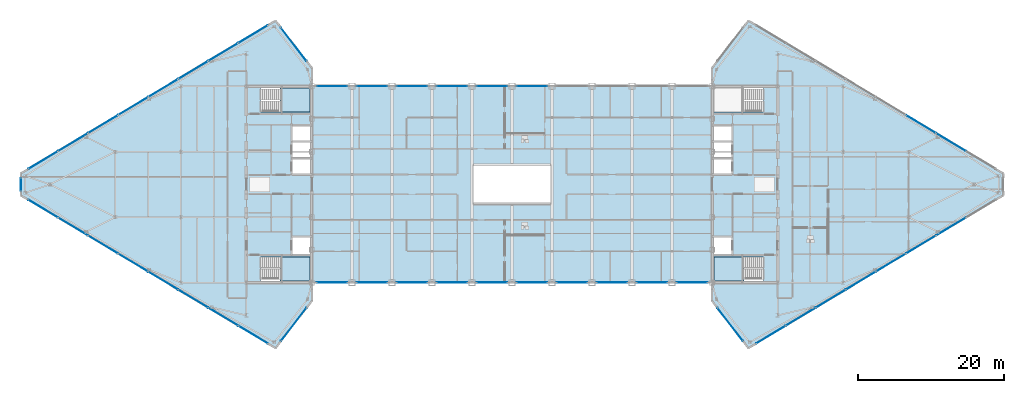
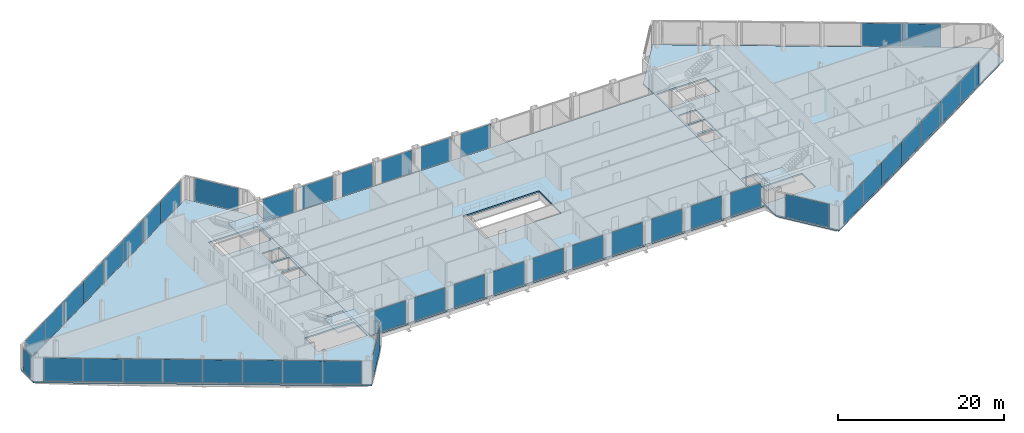
# One storey, part 19 of 29: 45 plates, 6 slabs, 27 elements without a shape of their own.
"""IFC4 building model written with IfcOpenShell, lengths in metres."""

from ifc_helpers import new_model, si_unit, direction, frame, origin, origin_2d, place, context, subcontext, project, spatial, polyline, rectangle, outline, extrude, source, transform, mapped, material, layer, layer_set, type_object, type_shapes, element, aggregate, save


model = new_model("IFC4")

# Units and contexts
model_context = context("Model", 3, precision=1e-05, world=origin(), true_north=direction((0.0, 1.0)))
body_context = subcontext(model_context, "Body", "Model", "MODEL_VIEW")
ifc_project = project(units=[si_unit("LENGTHUNIT", "METRE"), si_unit("AREAUNIT", "SQUARE_METRE"), si_unit("VOLUMEUNIT", "CUBIC_METRE"), si_unit("PLANEANGLEUNIT", "RADIAN"), si_unit("MASSUNIT", "GRAM", prefix="KILO")], contexts=[model_context])

# Site, building, storey
site_placement = place(None, origin())
site = spatial("IfcSite", under=ifc_project, at=site_placement, CompositionType="ELEMENT")
building_placement = place(site_placement, origin())
building = spatial("IfcBuilding", under=site, at=building_placement, Name="Seokmaru Belvedere", CompositionType="ELEMENT")
storey_placement = place(building_placement, frame((0.0, 0.0, 258.14990234375)))
storey = spatial("IfcBuildingStorey", under=building, at=storey_placement, Name="L68", CompositionType="ELEMENT", Elevation=258.14990234375)

# Stair, slab
ifc_material_1 = material(Name="Concrete C40 (40 MPa)", Category="concrete")
stair_type = type_object("IfcStairType", Name="Sky-Gate Residential Core Dog-Leg Stair 3750", PredefinedType="TWO_STRAIGHT_RUN_STAIR", material=ifc_material_1)
stair_1_placement = place(storey_placement, origin())
stair_1 = element("IfcStair", 1, at=stair_1_placement, inside=storey, type_object=stair_type, Name="L68 Special Escape Stair ST-W1", PredefinedType="TWO_STRAIGHT_RUN_STAIR")
ifc_layer_1 = layer(ifc_material_1, 0.199951171875)
ifc_layer_set_1 = layer_set([ifc_layer_1], Name="Concrete C40 (40 MPa)")
slab_type_1 = type_object("IfcSlabType", Name="Reinforced Concrete Stair Landing Slab 200", PredefinedType="LANDING", material=ifc_layer_set_1)
slab_1_placement = place(storey_placement, frame((0.0, 0.0, 1.675048828125)))
slab_1 = element("IfcSlab", 2, at=slab_1_placement, type_object=slab_type_1, Name="ST-W1 landing 1", PredefinedType="LANDING", context=body_context, shape_type="SweptSolid", body=[
    extrude(outline(polyline([(-31.8798828125, -13.239990234375), (-27.760009765625, -13.239990234375), (-27.760009765625, -9.949951171875), (-31.8798828125, -9.949951171875), (-31.8798828125, -13.239990234375)])), origin(), (0.0, 0.0, 1.0), 0.199951171875),
])
aggregate(stair_1, [slab_1])

stair_2_placement = place(storey_placement, origin())
stair_2 = element("IfcStair", 3, at=stair_2_placement, inside=storey, type_object=stair_type, Name="L68 Special Escape Stair ST-W2", PredefinedType="TWO_STRAIGHT_RUN_STAIR")
slab_2_placement = place(storey_placement, frame((0.0, 0.0, 1.675048828125)))
slab_2 = element("IfcSlab", 4, at=slab_2_placement, type_object=slab_type_1, Name="ST-W2 landing 1", PredefinedType="LANDING", context=body_context, shape_type="SweptSolid", body=[
    extrude(outline(polyline([(-31.8798828125, 9.949951171875), (-27.760009765625, 9.949951171875), (-27.760009765625, 13.239990234375), (-31.8798828125, 13.239990234375), (-31.8798828125, 9.949951171875)])), origin(), (0.0, 0.0, 1.0), 0.199951171875),
])
aggregate(stair_2, [slab_2])

stair_3_placement = place(storey_placement, origin())
stair_3 = element("IfcStair", 5, at=stair_3_placement, inside=storey, type_object=stair_type, Name="L68 Special Escape Stair ST-E1", PredefinedType="TWO_STRAIGHT_RUN_STAIR")
slab_3_placement = place(storey_placement, frame((0.0, 0.0, 1.675048828125)))
slab_3 = element("IfcSlab", 6, at=slab_3_placement, type_object=slab_type_1, Name="ST-E1 landing 1", PredefinedType="LANDING", context=body_context, shape_type="SweptSolid", body=[
    extrude(outline(polyline([(27.760009765625, -13.239990234375), (31.8798828125, -13.239990234375), (31.8798828125, -9.949951171875), (27.760009765625, -9.949951171875), (27.760009765625, -13.239990234375)])), origin(), (0.0, 0.0, 1.0), 0.199951171875),
])
aggregate(stair_3, [slab_3])

# Slabs
ifc_layer_2 = layer(ifc_material_1, 0.219970703125)
ifc_layer_set_2 = layer_set([ifc_layer_2], Name="Concrete C40 (40 MPa)")
slab_type_2 = type_object("IfcSlabType", Name="Typical Tower Composite Floor Slab 220", PredefinedType="FLOOR", material=ifc_layer_set_2)
slab_4_placement = place(storey_placement, frame((0.0, 0.0, -0.219970703125)))
element("IfcSlab", 7, at=slab_4_placement, inside=storey, type_object=slab_type_2, Name="L68 West Leg Floor Slab", PredefinedType="FLOOR", context=body_context, shape_type="SweptSolid", body=[
    extrude(outline(polyline([(-27.5, -16.0), (-27.5, 16.0), (-32.5, 22.5), (-67.5, 1.5), (-67.5, -1.5), (-32.5, -22.5), (-27.5, -16.0)]), holes=[polyline([(-34.60009765625, -13.25), (-27.75, -13.25), (-27.75, -9.949951171875), (-34.60009765625, -9.949951171875), (-34.60009765625, -13.25)]), polyline([(-34.60009765625, 9.949951171875), (-27.75, 9.949951171875), (-27.75, 13.25), (-34.60009765625, 13.25), (-34.60009765625, 9.949951171875)]), polyline([(-30.14990234375, -9.550048828125), (-27.75, -9.550048828125), (-27.75, -7.25), (-30.14990234375, -7.25), (-30.14990234375, -9.550048828125)]), polyline([(-30.14990234375, 1.449951171875), (-27.75, 1.449951171875), (-27.75, 3.449951171875), (-30.14990234375, 3.449951171875), (-30.14990234375, 1.449951171875)]), polyline([(-30.14990234375, 3.75), (-27.75, 3.75), (-27.75, 5.75), (-30.14990234375, 5.75), (-30.14990234375, 3.75)]), polyline([(-30.14990234375, 6.050048828125), (-27.75, 6.050048828125), (-27.75, 8.050048828125), (-30.14990234375, 8.050048828125), (-30.14990234375, 6.050048828125)])]), origin(), (0.0, 0.0, 1.0), 0.219970703125),
])
slab_5_placement = place(storey_placement, frame((0.0, 0.0, -0.219970703125)))
element("IfcSlab", 8, at=slab_5_placement, inside=storey, type_object=slab_type_2, Name="L68 East Leg Floor Slab", PredefinedType="FLOOR", context=body_context, shape_type="SweptSolid", body=[
    extrude(outline(polyline([(32.5, -22.5), (67.5, -1.5), (67.5, 1.5), (32.5, 22.5), (27.5, 16.0), (27.5, -16.0), (32.5, -22.5)]), holes=[polyline([(27.75, -13.25), (34.60009765625, -13.25), (34.60009765625, -9.949951171875), (27.75, -9.949951171875), (27.75, -13.25)]), polyline([(27.75, 9.949951171875), (34.60009765625, 9.949951171875), (34.60009765625, 13.25), (27.75, 13.25), (27.75, 9.949951171875)]), polyline([(27.75, -9.550048828125), (30.14990234375, -9.550048828125), (30.14990234375, -7.25), (27.75, -7.25), (27.75, -9.550048828125)]), polyline([(27.75, 1.449951171875), (30.14990234375, 1.449951171875), (30.14990234375, 3.449951171875), (27.75, 3.449951171875), (27.75, 1.449951171875)]), polyline([(27.75, 3.75), (30.14990234375, 3.75), (30.14990234375, 5.75), (27.75, 5.75), (27.75, 3.75)]), polyline([(27.75, 6.050048828125), (30.14990234375, 6.050048828125), (30.14990234375, 8.050048828125), (27.75, 8.050048828125), (27.75, 6.050048828125)])]), origin(), (0.0, 0.0, 1.0), 0.219970703125),
])
slab_6_placement = place(storey_placement, frame((0.0, 0.0, -0.219970703125)))
element("IfcSlab", 9, at=slab_6_placement, inside=storey, type_object=slab_type_2, Name="L68 Sky-Gate Bridge Floor Slab", PredefinedType="FLOOR", context=body_context, shape_type="SweptSolid", body=[
    extrude(outline(polyline([(-27.5, -13.5), (27.5, -13.5), (27.5, 13.5), (-27.5, 13.5), (-27.5, -13.5)]), holes=[polyline([(-5.300048828125, -2.699951171875), (5.300048828125, -2.699951171875), (5.300048828125, 2.699951171875), (-5.300048828125, 2.699951171875), (-5.300048828125, -2.699951171875)])]), origin(), (0.0, 0.0, 1.0), 0.219970703125),
])

# Curtain wall, plate
ifc_material_2 = material(Name="Bronze Triple Insulating Glass", Category="glass")
ifc_layer_3 = layer(ifc_material_2, 0.219970703125)
ifc_layer_set_3 = layer_set([ifc_layer_3], Name="Bronze Triple Insulating Glass")
curtain_wall_type = type_object("IfcCurtainWallType", Name="Sky-Gate Bridge Panorama Curtain Wall System CW-6", PredefinedType="NOTDEFINED", material=ifc_layer_set_3)
curtain_wall_1_placement = place(storey_placement, origin())
curtain_wall_1 = element("IfcCurtainWall", 10, at=curtain_wall_1_placement, inside=storey, type_object=curtain_wall_type, Name="L68 Curtain Wall WF2", PredefinedType="NOTDEFINED")
ifc_layer_4 = layer(ifc_material_2, 0.0419921875)
ifc_layer_set_4 = layer_set([ifc_layer_4], Name="Bronze Triple Insulating Glass")
plate_type = type_object("IfcPlateType", Name="Acoustic Laminated Panorama Glazing Panel 42", PredefinedType="CURTAIN_PANEL", material=ifc_layer_set_4)
shared_shape_1 = source(origin(), body_context, "Body", "SweptSolid", [
    extrude(rectangle(XDim=5.740478515625, YDim=0.0419921875, at=origin_2d()), origin(), (0.0, 0.0, 1.0), 3.3798828125),
])
plate_1_placement = place(storey_placement, frame((-30.0, 19.25, 0.0751953125), z_axis=(0.0, 0.0, 1.0), x_axis=(-0.609701187349, 0.792631353244, 0.0)))
plate_1 = element("IfcPlate", 11, at=plate_1_placement, type_object=plate_type, Name="CW:L68:WF2 Glazing Panel 1-1", PredefinedType="CURTAIN_PANEL", context=body_context, shape_type="MappedRepresentation", body=[
    mapped(shared_shape_1, transform((0.0, 0.0, 0.0), scale=1.0)),
])
aggregate(curtain_wall_1, [plate_1])

curtain_wall_2_placement = place(storey_placement, origin())
curtain_wall_2 = element("IfcCurtainWall", 12, at=curtain_wall_2_placement, inside=storey, type_object=curtain_wall_type, Name="L68 Curtain Wall WF6", PredefinedType="NOTDEFINED")
plate_2_placement = place(storey_placement, frame((-30.0, -19.25, 0.0751953125), z_axis=(0.0, 0.0, 1.0), x_axis=(0.609701187349, 0.792631353244, 0.0)))
plate_2 = element("IfcPlate", 13, at=plate_2_placement, type_object=plate_type, Name="CW:L68:WF6 Glazing Panel 1-1", PredefinedType="CURTAIN_PANEL", context=body_context, shape_type="MappedRepresentation", body=[
    mapped(shared_shape_1, transform((0.0, 0.0, 0.0), scale=1.0)),
])
aggregate(curtain_wall_2, [plate_2])

curtain_wall_3_placement = place(storey_placement, origin())
curtain_wall_3 = element("IfcCurtainWall", 14, at=curtain_wall_3_placement, inside=storey, type_object=curtain_wall_type, Name="L68 Curtain Wall EF6", PredefinedType="NOTDEFINED")
plate_3_placement = place(storey_placement, frame((30.0, -19.25, 0.0751953125), z_axis=(0.0, 0.0, 1.0), x_axis=(0.609701187349, -0.792631353244, 0.0)))
plate_3 = element("IfcPlate", 15, at=plate_3_placement, type_object=plate_type, Name="CW:L68:EF6 Glazing Panel 1-1", PredefinedType="CURTAIN_PANEL", context=body_context, shape_type="MappedRepresentation", body=[
    mapped(shared_shape_1, transform((0.0, 0.0, 0.0), scale=1.0)),
])
aggregate(curtain_wall_3, [plate_3])

# Curtain wall, plates
curtain_wall_4_placement = place(storey_placement, origin())
curtain_wall_4 = element("IfcCurtainWall", 16, at=curtain_wall_4_placement, inside=storey, type_object=curtain_wall_type, Name="L68 Curtain Wall WF3", PredefinedType="NOTDEFINED")
shared_shape_2 = source(origin(), body_context, "Body", "SweptSolid", [
    extrude(rectangle(XDim=4.694580078125, YDim=0.0419921875, at=origin_2d()), origin(), (0.0, 0.0, 1.0), 3.3798828125),
])
plate_4_placement = place(storey_placement, frame((-35.5673828125, 20.659423828125, 0.0751953125), z_axis=(0.0, 0.0, 1.0), x_axis=(-0.85749343335, -0.514494909364, 0.0)))
plate_4 = element("IfcPlate", 17, at=plate_4_placement, type_object=plate_type, Name="CW:L68:WF3 Glazing Panel 1-1", PredefinedType="CURTAIN_PANEL", context=body_context, shape_type="MappedRepresentation", body=[
    mapped(shared_shape_2, transform((0.0, 0.0, 0.0), scale=1.0)),
])
plate_5_placement = place(storey_placement, frame((-64.4326171875, 3.340576171875, 0.0751953125), z_axis=(0.0, 0.0, 1.0), x_axis=(-0.85749343335, -0.514494909364, 0.0)))
plate_5 = element("IfcPlate", 18, at=plate_5_placement, type_object=plate_type, Name="CW:L68:WF3 Glazing Panel 8-1", PredefinedType="CURTAIN_PANEL", context=body_context, shape_type="MappedRepresentation", body=[
    mapped(shared_shape_2, transform((0.0, 0.0, 0.0), scale=1.0)),
])

curtain_wall_5_placement = place(storey_placement, origin())
curtain_wall_5 = element("IfcCurtainWall", 19, at=curtain_wall_5_placement, inside=storey, type_object=curtain_wall_type, Name="L68 Curtain Wall WF5", PredefinedType="NOTDEFINED")
plate_6_placement = place(storey_placement, frame((-64.4326171875, -3.340576171875, 0.0751953125), z_axis=(0.0, 0.0, 1.0), x_axis=(0.85749343335, -0.514494909364, 0.0)))
plate_6 = element("IfcPlate", 20, at=plate_6_placement, type_object=plate_type, Name="CW:L68:WF5 Glazing Panel 1-1", PredefinedType="CURTAIN_PANEL", context=body_context, shape_type="MappedRepresentation", body=[
    mapped(shared_shape_2, transform((0.0, 0.0, 0.0), scale=1.0)),
])
plate_7_placement = place(storey_placement, frame((-35.5673828125, -20.659423828125, 0.0751953125), z_axis=(0.0, 0.0, 1.0), x_axis=(0.85749343335, -0.514494909364, 0.0)))
plate_7 = element("IfcPlate", 21, at=plate_7_placement, type_object=plate_type, Name="CW:L68:WF5 Glazing Panel 8-1", PredefinedType="CURTAIN_PANEL", context=body_context, shape_type="MappedRepresentation", body=[
    mapped(shared_shape_2, transform((0.0, 0.0, 0.0), scale=1.0)),
])

# Curtain wall, plate
curtain_wall_6_placement = place(storey_placement, origin())
curtain_wall_6 = element("IfcCurtainWall", 22, at=curtain_wall_6_placement, inside=storey, type_object=curtain_wall_type, Name="L68 Curtain Wall EF1", PredefinedType="NOTDEFINED")
plate_8_placement = place(storey_placement, frame((35.5673828125, -20.659423828125, 0.0751953125), z_axis=(0.0, 0.0, 1.0), x_axis=(0.85749343335, 0.514494909364, 0.0)))
plate_8 = element("IfcPlate", 23, at=plate_8_placement, type_object=plate_type, Name="CW:L68:EF1 Glazing Panel 1-1", PredefinedType="CURTAIN_PANEL", context=body_context, shape_type="MappedRepresentation", body=[
    mapped(shared_shape_2, transform((0.0, 0.0, 0.0), scale=1.0)),
])

# Plate
shared_shape_3 = source(origin(), body_context, "Body", "SweptSolid", [
    extrude(rectangle(XDim=4.734619140625, YDim=0.0419921875, at=origin_2d()), origin(), (0.0, 0.0, 1.0), 3.3798828125),
])
plate_9_placement = place(storey_placement, frame((-39.6787109375, 18.192626953125, 0.0751953125), z_axis=(0.0, 0.0, 1.0), x_axis=(-0.85749343335, -0.514494909364, 0.0)))
plate_9 = element("IfcPlate", 24, at=plate_9_placement, type_object=plate_type, Name="CW:L68:WF3 Glazing Panel 2-1", PredefinedType="CURTAIN_PANEL", context=body_context, shape_type="MappedRepresentation", body=[
    mapped(shared_shape_3, transform((0.0, 0.0, 0.0), scale=1.0)),
])

plate_10_placement = place(storey_placement, frame((-43.807373046875, 15.715576171875, 0.0751953125), z_axis=(0.0, 0.0, 1.0), x_axis=(-0.85749343335, -0.514494909364, 0.0)))
plate_10 = element("IfcPlate", 25, at=plate_10_placement, type_object=plate_type, Name="CW:L68:WF3 Glazing Panel 3-1", PredefinedType="CURTAIN_PANEL", context=body_context, shape_type="MappedRepresentation", body=[
    mapped(shared_shape_3, transform((0.0, 0.0, 0.0), scale=1.0)),
])

plate_11_placement = place(storey_placement, frame((-47.935791015625, 13.238525390625, 0.0751953125), z_axis=(0.0, 0.0, 1.0), x_axis=(-0.85749343335, -0.514494909364, 0.0)))
plate_11 = element("IfcPlate", 26, at=plate_11_placement, type_object=plate_type, Name="CW:L68:WF3 Glazing Panel 4-1", PredefinedType="CURTAIN_PANEL", context=body_context, shape_type="MappedRepresentation", body=[
    mapped(shared_shape_3, transform((0.0, 0.0, 0.0), scale=1.0)),
])

plate_12_placement = place(storey_placement, frame((-52.064208984375, 10.761474609375, 0.0751953125), z_axis=(0.0, 0.0, 1.0), x_axis=(-0.85749343335, -0.514494909364, 0.0)))
plate_12 = element("IfcPlate", 27, at=plate_12_placement, type_object=plate_type, Name="CW:L68:WF3 Glazing Panel 5-1", PredefinedType="CURTAIN_PANEL", context=body_context, shape_type="MappedRepresentation", body=[
    mapped(shared_shape_3, transform((0.0, 0.0, 0.0), scale=1.0)),
])

plate_13_placement = place(storey_placement, frame((-56.192626953125, 8.284423828125, 0.0751953125), z_axis=(0.0, 0.0, 1.0), x_axis=(-0.85749343335, -0.514494909364, 0.0)))
plate_13 = element("IfcPlate", 28, at=plate_13_placement, type_object=plate_type, Name="CW:L68:WF3 Glazing Panel 6-1", PredefinedType="CURTAIN_PANEL", context=body_context, shape_type="MappedRepresentation", body=[
    mapped(shared_shape_3, transform((0.0, 0.0, 0.0), scale=1.0)),
])

plate_14_placement = place(storey_placement, frame((-60.3212890625, 5.807373046875, 0.0751953125), z_axis=(0.0, 0.0, 1.0), x_axis=(-0.85749343335, -0.514494909364, 0.0)))
plate_14 = element("IfcPlate", 29, at=plate_14_placement, type_object=plate_type, Name="CW:L68:WF3 Glazing Panel 7-1", PredefinedType="CURTAIN_PANEL", context=body_context, shape_type="MappedRepresentation", body=[
    mapped(shared_shape_3, transform((0.0, 0.0, 0.0), scale=1.0)),
])

aggregate(curtain_wall_4, [plate_4, plate_9, plate_10, plate_11, plate_12, plate_13, plate_14, plate_5])

plate_15_placement = place(storey_placement, frame((-60.3212890625, -5.807373046875, 0.0751953125), z_axis=(0.0, 0.0, 1.0), x_axis=(0.85749343335, -0.514494909364, 0.0)))
plate_15 = element("IfcPlate", 30, at=plate_15_placement, type_object=plate_type, Name="CW:L68:WF5 Glazing Panel 2-1", PredefinedType="CURTAIN_PANEL", context=body_context, shape_type="MappedRepresentation", body=[
    mapped(shared_shape_3, transform((0.0, 0.0, 0.0), scale=1.0)),
])

plate_16_placement = place(storey_placement, frame((-56.192626953125, -8.284423828125, 0.0751953125), z_axis=(0.0, 0.0, 1.0), x_axis=(0.85749343335, -0.514494909364, 0.0)))
plate_16 = element("IfcPlate", 31, at=plate_16_placement, type_object=plate_type, Name="CW:L68:WF5 Glazing Panel 3-1", PredefinedType="CURTAIN_PANEL", context=body_context, shape_type="MappedRepresentation", body=[
    mapped(shared_shape_3, transform((0.0, 0.0, 0.0), scale=1.0)),
])

plate_17_placement = place(storey_placement, frame((-52.064208984375, -10.761474609375, 0.0751953125), z_axis=(0.0, 0.0, 1.0), x_axis=(0.85749343335, -0.514494909364, 0.0)))
plate_17 = element("IfcPlate", 32, at=plate_17_placement, type_object=plate_type, Name="CW:L68:WF5 Glazing Panel 4-1", PredefinedType="CURTAIN_PANEL", context=body_context, shape_type="MappedRepresentation", body=[
    mapped(shared_shape_3, transform((0.0, 0.0, 0.0), scale=1.0)),
])

plate_18_placement = place(storey_placement, frame((-47.935791015625, -13.238525390625, 0.0751953125), z_axis=(0.0, 0.0, 1.0), x_axis=(0.85749343335, -0.514494909364, 0.0)))
plate_18 = element("IfcPlate", 33, at=plate_18_placement, type_object=plate_type, Name="CW:L68:WF5 Glazing Panel 5-1", PredefinedType="CURTAIN_PANEL", context=body_context, shape_type="MappedRepresentation", body=[
    mapped(shared_shape_3, transform((0.0, 0.0, 0.0), scale=1.0)),
])

plate_19_placement = place(storey_placement, frame((-43.807373046875, -15.715576171875, 0.0751953125), z_axis=(0.0, 0.0, 1.0), x_axis=(0.85749343335, -0.514494909364, 0.0)))
plate_19 = element("IfcPlate", 34, at=plate_19_placement, type_object=plate_type, Name="CW:L68:WF5 Glazing Panel 6-1", PredefinedType="CURTAIN_PANEL", context=body_context, shape_type="MappedRepresentation", body=[
    mapped(shared_shape_3, transform((0.0, 0.0, 0.0), scale=1.0)),
])

plate_20_placement = place(storey_placement, frame((-39.6787109375, -18.192626953125, 0.0751953125), z_axis=(0.0, 0.0, 1.0), x_axis=(0.85749343335, -0.514494909364, 0.0)))
plate_20 = element("IfcPlate", 35, at=plate_20_placement, type_object=plate_type, Name="CW:L68:WF5 Glazing Panel 7-1", PredefinedType="CURTAIN_PANEL", context=body_context, shape_type="MappedRepresentation", body=[
    mapped(shared_shape_3, transform((0.0, 0.0, 0.0), scale=1.0)),
])

aggregate(curtain_wall_5, [plate_6, plate_15, plate_16, plate_17, plate_18, plate_19, plate_20, plate_7])

plate_21_placement = place(storey_placement, frame((39.6787109375, -18.192626953125, 0.0751953125), z_axis=(0.0, 0.0, 1.0), x_axis=(0.85749343335, 0.514494909364, 0.0)))
plate_21 = element("IfcPlate", 36, at=plate_21_placement, type_object=plate_type, Name="CW:L68:EF1 Glazing Panel 2-1", PredefinedType="CURTAIN_PANEL", context=body_context, shape_type="MappedRepresentation", body=[
    mapped(shared_shape_3, transform((0.0, 0.0, 0.0), scale=1.0)),
])

plate_22_placement = place(storey_placement, frame((43.807373046875, -15.715576171875, 0.0751953125), z_axis=(0.0, 0.0, 1.0), x_axis=(0.85749343335, 0.514494909364, 0.0)))
plate_22 = element("IfcPlate", 37, at=plate_22_placement, type_object=plate_type, Name="CW:L68:EF1 Glazing Panel 3-1", PredefinedType="CURTAIN_PANEL", context=body_context, shape_type="MappedRepresentation", body=[
    mapped(shared_shape_3, transform((0.0, 0.0, 0.0), scale=1.0)),
])

plate_23_placement = place(storey_placement, frame((47.935791015625, -13.238525390625, 0.0751953125), z_axis=(0.0, 0.0, 1.0), x_axis=(0.85749343335, 0.514494909364, 0.0)))
plate_23 = element("IfcPlate", 38, at=plate_23_placement, type_object=plate_type, Name="CW:L68:EF1 Glazing Panel 4-1", PredefinedType="CURTAIN_PANEL", context=body_context, shape_type="MappedRepresentation", body=[
    mapped(shared_shape_3, transform((0.0, 0.0, 0.0), scale=1.0)),
])

plate_24_placement = place(storey_placement, frame((52.064208984375, -10.761474609375, 0.0751953125), z_axis=(0.0, 0.0, 1.0), x_axis=(0.85749343335, 0.514494909364, 0.0)))
plate_24 = element("IfcPlate", 39, at=plate_24_placement, type_object=plate_type, Name="CW:L68:EF1 Glazing Panel 5-1", PredefinedType="CURTAIN_PANEL", context=body_context, shape_type="MappedRepresentation", body=[
    mapped(shared_shape_3, transform((0.0, 0.0, 0.0), scale=1.0)),
])

plate_25_placement = place(storey_placement, frame((56.192626953125, -8.284423828125, 0.0751953125), z_axis=(0.0, 0.0, 1.0), x_axis=(0.85749343335, 0.514494909364, 0.0)))
plate_25 = element("IfcPlate", 40, at=plate_25_placement, type_object=plate_type, Name="CW:L68:EF1 Glazing Panel 6-1", PredefinedType="CURTAIN_PANEL", context=body_context, shape_type="MappedRepresentation", body=[
    mapped(shared_shape_3, transform((0.0, 0.0, 0.0), scale=1.0)),
])

plate_26_placement = place(storey_placement, frame((60.3212890625, -5.807373046875, 0.0751953125), z_axis=(0.0, 0.0, 1.0), x_axis=(0.85749343335, 0.514494909364, 0.0)))
plate_26 = element("IfcPlate", 41, at=plate_26_placement, type_object=plate_type, Name="CW:L68:EF1 Glazing Panel 7-1", PredefinedType="CURTAIN_PANEL", context=body_context, shape_type="MappedRepresentation", body=[
    mapped(shared_shape_3, transform((0.0, 0.0, 0.0), scale=1.0)),
])

aggregate(curtain_wall_6, [plate_8, plate_21, plate_22, plate_23, plate_24, plate_25, plate_26])

# Curtain wall, plates
curtain_wall_7_placement = place(storey_placement, origin())
curtain_wall_7 = element("IfcCurtainWall", 42, at=curtain_wall_7_placement, inside=storey, type_object=curtain_wall_type, Name="L68 Curtain Wall EF3", PredefinedType="NOTDEFINED")
plate_27_placement = place(storey_placement, frame((60.3212890625, 5.807373046875, 0.0751953125), z_axis=(0.0, 0.0, 1.0), x_axis=(-0.85749343335, 0.514494909364, 0.0)))
plate_27 = element("IfcPlate", 43, at=plate_27_placement, type_object=plate_type, Name="CW:L68:EF3 Glazing Panel 2-1", PredefinedType="CURTAIN_PANEL", context=body_context, shape_type="MappedRepresentation", body=[
    mapped(shared_shape_3, transform((0.0, 0.0, 0.0), scale=1.0)),
])
plate_28_placement = place(storey_placement, frame((56.192626953125, 8.284423828125, 0.0751953125), z_axis=(0.0, 0.0, 1.0), x_axis=(-0.85749343335, 0.514494909364, 0.0)))
plate_28 = element("IfcPlate", 44, at=plate_28_placement, type_object=plate_type, Name="CW:L68:EF3 Glazing Panel 3-1", PredefinedType="CURTAIN_PANEL", context=body_context, shape_type="MappedRepresentation", body=[
    mapped(shared_shape_3, transform((0.0, 0.0, 0.0), scale=1.0)),
])
aggregate(curtain_wall_7, [plate_27, plate_28])

# Curtain wall, plate
curtain_wall_8_placement = place(storey_placement, origin())
curtain_wall_8 = element("IfcCurtainWall", 45, at=curtain_wall_8_placement, inside=storey, type_object=curtain_wall_type, Name="L68 Curtain Wall WF4", PredefinedType="NOTDEFINED")
shared_shape_4 = source(origin(), body_context, "Body", "SweptSolid", [
    extrude(rectangle(XDim=1.739990234375, YDim=0.0419921875, at=origin_2d()), origin(), (0.0, 0.0, 1.0), 3.3798828125),
])
plate_29_placement = place(storey_placement, frame((-67.5, 0.0, 0.0751953125), z_axis=(0.0, 0.0, 1.0), x_axis=(0.0, -1.0, 0.0)))
plate_29 = element("IfcPlate", 46, at=plate_29_placement, type_object=plate_type, Name="CW:L68:WF4 Glazing Panel 1-1", PredefinedType="CURTAIN_PANEL", context=body_context, shape_type="MappedRepresentation", body=[
    mapped(shared_shape_4, transform((0.0, 0.0, 0.0), scale=1.0)),
])
aggregate(curtain_wall_8, [plate_29])

curtain_wall_9_placement = place(storey_placement, origin())
curtain_wall_9 = element("IfcCurtainWall", 47, at=curtain_wall_9_placement, inside=storey, type_object=curtain_wall_type, Name="L68 Curtain Wall BR_S01", PredefinedType="NOTDEFINED")
shared_shape_5 = source(origin(), body_context, "Body", "SweptSolid", [
    extrude(rectangle(XDim=4.239990234375, YDim=0.0419921875, at=origin_2d()), origin(), (0.0, 0.0, 1.0), 3.3798828125),
])
type_shapes(plate_type, [shared_shape_1, shared_shape_2, shared_shape_3, shared_shape_4, shared_shape_5])
plate_30_placement = place(storey_placement, frame((-24.75, -13.5, 0.0751953125), z_axis=(0.0, 0.0, 1.0), x_axis=(1.0, 0.0, 0.0)))
plate_30 = element("IfcPlate", 48, at=plate_30_placement, type_object=plate_type, Name="CW:L68:BR_S01 Glazing Panel 1-1", PredefinedType="CURTAIN_PANEL", context=body_context, shape_type="MappedRepresentation", body=[
    mapped(shared_shape_5, transform((0.0, 0.0, 0.0), scale=1.0)),
])
aggregate(curtain_wall_9, [plate_30])

curtain_wall_10_placement = place(storey_placement, origin())
curtain_wall_10 = element("IfcCurtainWall", 49, at=curtain_wall_10_placement, inside=storey, type_object=curtain_wall_type, Name="L68 Curtain Wall BR_N01", PredefinedType="NOTDEFINED")
plate_31_placement = place(storey_placement, frame((-24.75, 13.5, 0.0751953125), z_axis=(0.0, 0.0, 1.0), x_axis=(-1.0, 0.0, 0.0)))
plate_31 = element("IfcPlate", 50, at=plate_31_placement, type_object=plate_type, Name="CW:L68:BR_N01 Glazing Panel 1-1", PredefinedType="CURTAIN_PANEL", context=body_context, shape_type="MappedRepresentation", body=[
    mapped(shared_shape_5, transform((0.0, 0.0, 0.0), scale=1.0)),
])
aggregate(curtain_wall_10, [plate_31])

curtain_wall_11_placement = place(storey_placement, origin())
curtain_wall_11 = element("IfcCurtainWall", 51, at=curtain_wall_11_placement, inside=storey, type_object=curtain_wall_type, Name="L68 Curtain Wall BR_S02", PredefinedType="NOTDEFINED")
plate_32_placement = place(storey_placement, frame((-19.25, -13.5, 0.0751953125), z_axis=(0.0, 0.0, 1.0), x_axis=(1.0, 0.0, 0.0)))
plate_32 = element("IfcPlate", 52, at=plate_32_placement, type_object=plate_type, Name="CW:L68:BR_S02 Glazing Panel 1-1", PredefinedType="CURTAIN_PANEL", context=body_context, shape_type="MappedRepresentation", body=[
    mapped(shared_shape_5, transform((0.0, 0.0, 0.0), scale=1.0)),
])
aggregate(curtain_wall_11, [plate_32])

curtain_wall_12_placement = place(storey_placement, origin())
curtain_wall_12 = element("IfcCurtainWall", 53, at=curtain_wall_12_placement, inside=storey, type_object=curtain_wall_type, Name="L68 Curtain Wall BR_N02", PredefinedType="NOTDEFINED")
plate_33_placement = place(storey_placement, frame((-19.25, 13.5, 0.0751953125), z_axis=(0.0, 0.0, 1.0), x_axis=(-1.0, 0.0, 0.0)))
plate_33 = element("IfcPlate", 54, at=plate_33_placement, type_object=plate_type, Name="CW:L68:BR_N02 Glazing Panel 1-1", PredefinedType="CURTAIN_PANEL", context=body_context, shape_type="MappedRepresentation", body=[
    mapped(shared_shape_5, transform((0.0, 0.0, 0.0), scale=1.0)),
])
aggregate(curtain_wall_12, [plate_33])

curtain_wall_13_placement = place(storey_placement, origin())
curtain_wall_13 = element("IfcCurtainWall", 55, at=curtain_wall_13_placement, inside=storey, type_object=curtain_wall_type, Name="L68 Curtain Wall BR_S03", PredefinedType="NOTDEFINED")
plate_34_placement = place(storey_placement, frame((-13.75, -13.5, 0.0751953125), z_axis=(0.0, 0.0, 1.0), x_axis=(1.0, 0.0, 0.0)))
plate_34 = element("IfcPlate", 56, at=plate_34_placement, type_object=plate_type, Name="CW:L68:BR_S03 Glazing Panel 1-1", PredefinedType="CURTAIN_PANEL", context=body_context, shape_type="MappedRepresentation", body=[
    mapped(shared_shape_5, transform((0.0, 0.0, 0.0), scale=1.0)),
])
aggregate(curtain_wall_13, [plate_34])

curtain_wall_14_placement = place(storey_placement, origin())
curtain_wall_14 = element("IfcCurtainWall", 57, at=curtain_wall_14_placement, inside=storey, type_object=curtain_wall_type, Name="L68 Curtain Wall BR_N03", PredefinedType="NOTDEFINED")
plate_35_placement = place(storey_placement, frame((-13.75, 13.5, 0.0751953125), z_axis=(0.0, 0.0, 1.0), x_axis=(-1.0, 0.0, 0.0)))
plate_35 = element("IfcPlate", 58, at=plate_35_placement, type_object=plate_type, Name="CW:L68:BR_N03 Glazing Panel 1-1", PredefinedType="CURTAIN_PANEL", context=body_context, shape_type="MappedRepresentation", body=[
    mapped(shared_shape_5, transform((0.0, 0.0, 0.0), scale=1.0)),
])
aggregate(curtain_wall_14, [plate_35])

curtain_wall_15_placement = place(storey_placement, origin())
curtain_wall_15 = element("IfcCurtainWall", 59, at=curtain_wall_15_placement, inside=storey, type_object=curtain_wall_type, Name="L68 Curtain Wall BR_S04", PredefinedType="NOTDEFINED")
plate_36_placement = place(storey_placement, frame((-8.25, -13.5, 0.0751953125), z_axis=(0.0, 0.0, 1.0), x_axis=(1.0, 0.0, 0.0)))
plate_36 = element("IfcPlate", 60, at=plate_36_placement, type_object=plate_type, Name="CW:L68:BR_S04 Glazing Panel 1-1", PredefinedType="CURTAIN_PANEL", context=body_context, shape_type="MappedRepresentation", body=[
    mapped(shared_shape_5, transform((0.0, 0.0, 0.0), scale=1.0)),
])
aggregate(curtain_wall_15, [plate_36])

curtain_wall_16_placement = place(storey_placement, origin())
curtain_wall_16 = element("IfcCurtainWall", 61, at=curtain_wall_16_placement, inside=storey, type_object=curtain_wall_type, Name="L68 Curtain Wall BR_N04", PredefinedType="NOTDEFINED")
plate_37_placement = place(storey_placement, frame((-8.25, 13.5, 0.0751953125), z_axis=(0.0, 0.0, 1.0), x_axis=(-1.0, 0.0, 0.0)))
plate_37 = element("IfcPlate", 62, at=plate_37_placement, type_object=plate_type, Name="CW:L68:BR_N04 Glazing Panel 1-1", PredefinedType="CURTAIN_PANEL", context=body_context, shape_type="MappedRepresentation", body=[
    mapped(shared_shape_5, transform((0.0, 0.0, 0.0), scale=1.0)),
])
aggregate(curtain_wall_16, [plate_37])

curtain_wall_17_placement = place(storey_placement, origin())
curtain_wall_17 = element("IfcCurtainWall", 63, at=curtain_wall_17_placement, inside=storey, type_object=curtain_wall_type, Name="L68 Curtain Wall BR_S05", PredefinedType="NOTDEFINED")
plate_38_placement = place(storey_placement, frame((-2.75, -13.5, 0.0751953125), z_axis=(0.0, 0.0, 1.0), x_axis=(1.0, 0.0, 0.0)))
plate_38 = element("IfcPlate", 64, at=plate_38_placement, type_object=plate_type, Name="CW:L68:BR_S05 Glazing Panel 1-1", PredefinedType="CURTAIN_PANEL", context=body_context, shape_type="MappedRepresentation", body=[
    mapped(shared_shape_5, transform((0.0, 0.0, 0.0), scale=1.0)),
])
aggregate(curtain_wall_17, [plate_38])

curtain_wall_18_placement = place(storey_placement, origin())
curtain_wall_18 = element("IfcCurtainWall", 65, at=curtain_wall_18_placement, inside=storey, type_object=curtain_wall_type, Name="L68 Curtain Wall BR_N05", PredefinedType="NOTDEFINED")
plate_39_placement = place(storey_placement, frame((-2.75, 13.5, 0.0751953125), z_axis=(0.0, 0.0, 1.0), x_axis=(-1.0, 0.0, 0.0)))
plate_39 = element("IfcPlate", 66, at=plate_39_placement, type_object=plate_type, Name="CW:L68:BR_N05 Glazing Panel 1-1", PredefinedType="CURTAIN_PANEL", context=body_context, shape_type="MappedRepresentation", body=[
    mapped(shared_shape_5, transform((0.0, 0.0, 0.0), scale=1.0)),
])
aggregate(curtain_wall_18, [plate_39])

curtain_wall_19_placement = place(storey_placement, origin())
curtain_wall_19 = element("IfcCurtainWall", 67, at=curtain_wall_19_placement, inside=storey, type_object=curtain_wall_type, Name="L68 Curtain Wall BR_S06", PredefinedType="NOTDEFINED")
plate_40_placement = place(storey_placement, frame((2.75, -13.5, 0.0751953125), z_axis=(0.0, 0.0, 1.0), x_axis=(1.0, 0.0, 0.0)))
plate_40 = element("IfcPlate", 68, at=plate_40_placement, type_object=plate_type, Name="CW:L68:BR_S06 Glazing Panel 1-1", PredefinedType="CURTAIN_PANEL", context=body_context, shape_type="MappedRepresentation", body=[
    mapped(shared_shape_5, transform((0.0, 0.0, 0.0), scale=1.0)),
])
aggregate(curtain_wall_19, [plate_40])

curtain_wall_20_placement = place(storey_placement, origin())
curtain_wall_20 = element("IfcCurtainWall", 69, at=curtain_wall_20_placement, inside=storey, type_object=curtain_wall_type, Name="L68 Curtain Wall BR_N06", PredefinedType="NOTDEFINED")
plate_41_placement = place(storey_placement, frame((2.75, 13.5, 0.0751953125), z_axis=(0.0, 0.0, 1.0), x_axis=(-1.0, 0.0, 0.0)))
plate_41 = element("IfcPlate", 70, at=plate_41_placement, type_object=plate_type, Name="CW:L68:BR_N06 Glazing Panel 1-1", PredefinedType="CURTAIN_PANEL", context=body_context, shape_type="MappedRepresentation", body=[
    mapped(shared_shape_5, transform((0.0, 0.0, 0.0), scale=1.0)),
])
aggregate(curtain_wall_20, [plate_41])

curtain_wall_21_placement = place(storey_placement, origin())
curtain_wall_21 = element("IfcCurtainWall", 71, at=curtain_wall_21_placement, inside=storey, type_object=curtain_wall_type, Name="L68 Curtain Wall BR_S07", PredefinedType="NOTDEFINED")
plate_42_placement = place(storey_placement, frame((8.25, -13.5, 0.0751953125), z_axis=(0.0, 0.0, 1.0), x_axis=(1.0, 0.0, 0.0)))
plate_42 = element("IfcPlate", 72, at=plate_42_placement, type_object=plate_type, Name="CW:L68:BR_S07 Glazing Panel 1-1", PredefinedType="CURTAIN_PANEL", context=body_context, shape_type="MappedRepresentation", body=[
    mapped(shared_shape_5, transform((0.0, 0.0, 0.0), scale=1.0)),
])
aggregate(curtain_wall_21, [plate_42])

curtain_wall_22_placement = place(storey_placement, origin())
curtain_wall_22 = element("IfcCurtainWall", 73, at=curtain_wall_22_placement, inside=storey, type_object=curtain_wall_type, Name="L68 Curtain Wall BR_S08", PredefinedType="NOTDEFINED")
plate_43_placement = place(storey_placement, frame((13.75, -13.5, 0.0751953125), z_axis=(0.0, 0.0, 1.0), x_axis=(1.0, 0.0, 0.0)))
plate_43 = element("IfcPlate", 74, at=plate_43_placement, type_object=plate_type, Name="CW:L68:BR_S08 Glazing Panel 1-1", PredefinedType="CURTAIN_PANEL", context=body_context, shape_type="MappedRepresentation", body=[
    mapped(shared_shape_5, transform((0.0, 0.0, 0.0), scale=1.0)),
])
aggregate(curtain_wall_22, [plate_43])

curtain_wall_23_placement = place(storey_placement, origin())
curtain_wall_23 = element("IfcCurtainWall", 75, at=curtain_wall_23_placement, inside=storey, type_object=curtain_wall_type, Name="L68 Curtain Wall BR_S09", PredefinedType="NOTDEFINED")
plate_44_placement = place(storey_placement, frame((19.25, -13.5, 0.0751953125), z_axis=(0.0, 0.0, 1.0), x_axis=(1.0, 0.0, 0.0)))
plate_44 = element("IfcPlate", 76, at=plate_44_placement, type_object=plate_type, Name="CW:L68:BR_S09 Glazing Panel 1-1", PredefinedType="CURTAIN_PANEL", context=body_context, shape_type="MappedRepresentation", body=[
    mapped(shared_shape_5, transform((0.0, 0.0, 0.0), scale=1.0)),
])
aggregate(curtain_wall_23, [plate_44])

curtain_wall_24_placement = place(storey_placement, origin())
curtain_wall_24 = element("IfcCurtainWall", 77, at=curtain_wall_24_placement, inside=storey, type_object=curtain_wall_type, Name="L68 Curtain Wall BR_S10", PredefinedType="NOTDEFINED")
plate_45_placement = place(storey_placement, frame((24.75, -13.5, 0.0751953125), z_axis=(0.0, 0.0, 1.0), x_axis=(1.0, 0.0, 0.0)))
plate_45 = element("IfcPlate", 78, at=plate_45_placement, type_object=plate_type, Name="CW:L68:BR_S10 Glazing Panel 1-1", PredefinedType="CURTAIN_PANEL", context=body_context, shape_type="MappedRepresentation", body=[
    mapped(shared_shape_5, transform((0.0, 0.0, 0.0), scale=1.0)),
])
aggregate(curtain_wall_24, [plate_45])

save(model, "model.ifc")
